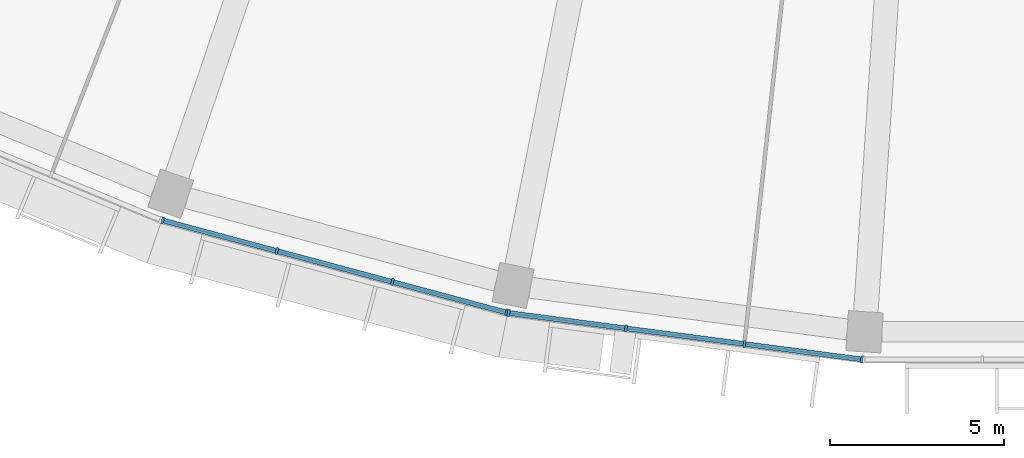
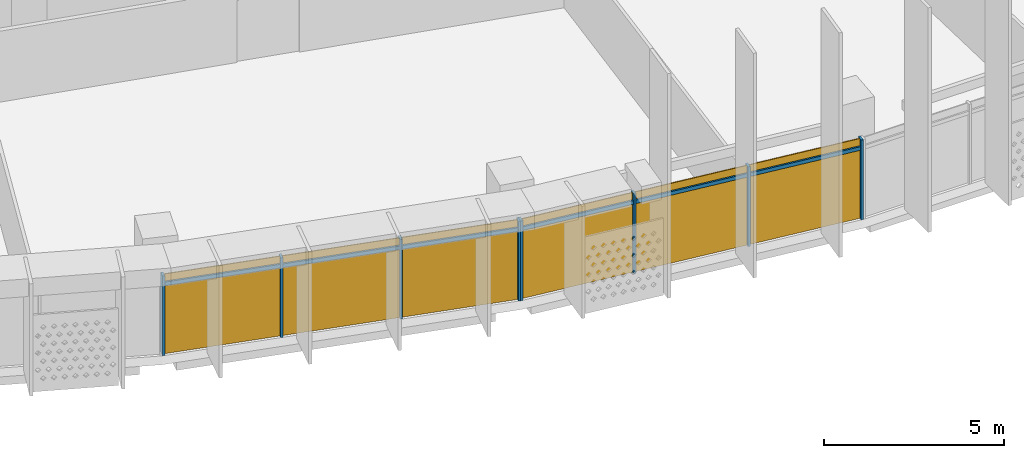
# One storey, part 18 of 28: 14 members, 2 curtain walls.
"""IFC4 building model written with IfcOpenShell, lengths in metres."""

import ifcopenshell
import ifcopenshell.guid

model = None  # the IFC model being written
_history = None  # IfcOwnerHistory: only IFC2X3 demands one
_inside = {}  # id of a spatial element -> (the spatial element, [elements in it])
_under = {}  # id of a project, library or spatial element -> (it, [spatial elements below it])
_declared = {}  # id of a project -> (the project, [libraries it declares])
_typed = {}  # id of a type object -> (the type object, [elements of that type])
_made_of = {}  # id of a material, layer set ... -> (it, [elements and type objects made of it])


def new_model(schema):
    """Start an empty IFC model of exactly this schema.

    Asked for "IFC4X3", IfcOpenShell would pick the latest addendum, in which some entities
    have other attributes; the version numbers below select the first issue.
    IFC2X3 requires an IfcOwnerHistory on every rooted entity: one is made here for all.
    """
    global model, _history
    if schema == "IFC4X3":
        model = ifcopenshell.file(schema_version=(4, 3, 0, 0))
    else:
        model = ifcopenshell.file(schema=schema)
    _inside.clear()
    _under.clear()
    _declared.clear()
    _typed.clear()
    _made_of.clear()
    _history = None
    if model.schema == "IFC2X3":
        org = make("IfcOrganization", Name="unknown")
        user = make(
            "IfcPersonAndOrganization",
            ThePerson=make("IfcPerson", FamilyName="unknown"),
            TheOrganization=org,
        )
        app = make(
            "IfcApplication",
            ApplicationDeveloper=org,
            Version="unknown",
            ApplicationFullName="unknown",
            ApplicationIdentifier="unknown",
        )
        _history = make(
            "IfcOwnerHistory",
            OwningUser=user,
            OwningApplication=app,
            ChangeAction="ADDED",
            CreationDate=0,
        )
    return model


def make(cls, **values):
    """One entity of the class cls with the attributes given. An attribute that is None is left unset."""
    return model.create_entity(
        cls, **{name: value for name, value in values.items() if value is not None}
    )


def rooted(cls, **values):
    """An entity with a GlobalId (a new one), such as an element, a storey or a relation."""
    return make(cls, GlobalId=ifcopenshell.guid.new(), OwnerHistory=_history, **values)


def si_unit(unit_type, name, prefix=None):
    """IfcSIUnit, for example si_unit("LENGTHUNIT", "METRE", prefix="MILLI")."""
    return make("IfcSIUnit", UnitType=unit_type, Prefix=prefix, Name=name)


def assignment(units):
    """IfcUnitAssignment: the units of a project."""
    return None if units is None else make("IfcUnitAssignment", Units=units)


def point(xyz):
    """IfcCartesianPoint."""
    return None if xyz is None else make("IfcCartesianPoint", Coordinates=xyz)


def direction(xyz):
    """IfcDirection."""
    return None if xyz is None else make("IfcDirection", DirectionRatios=xyz)


def frame(location, z_axis=None, x_axis=None):
    """IfcAxis2Placement3D, a coordinate frame: its origin and axes. An axis left out is left unset."""
    return make(
        "IfcAxis2Placement3D",
        Location=point(location),
        Axis=direction(z_axis),
        RefDirection=direction(x_axis),
    )


def frame_2d(location, x_axis=None):
    """IfcAxis2Placement2D, a coordinate frame in the plane: its origin and x axis."""
    return make(
        "IfcAxis2Placement2D", Location=point(location), RefDirection=direction(x_axis)
    )


def origin():
    """The frame at (0, 0, 0) with its axes left unset."""
    return frame((0.0, 0.0, 0.0))


def origin_2d():
    """The frame at (0, 0) in the plane with its x axis left unset."""
    return frame_2d((0.0, 0.0))


def place(relative_to, where):
    """IfcLocalPlacement: puts the frame where relative to a parent placement (None: the world)."""
    return make(
        "IfcLocalPlacement", PlacementRelTo=relative_to, RelativePlacement=where
    )


def context(
    kind, dimensions, precision=None, world=None, true_north=None, identifier=None
):
    """IfcGeometricRepresentationContext, for example the 3D "Model" context."""
    return make(
        "IfcGeometricRepresentationContext",
        ContextIdentifier=identifier,
        ContextType=kind,
        CoordinateSpaceDimension=dimensions,
        Precision=precision,
        WorldCoordinateSystem=world,
        TrueNorth=true_north,
    )


def subcontext(parent, identifier, kind, view, scale=None):
    """IfcGeometricRepresentationSubContext, for example "Body" below "Model"."""
    return make(
        "IfcGeometricRepresentationSubContext",
        ContextIdentifier=identifier,
        ContextType=kind,
        ParentContext=parent,
        TargetScale=scale,
        TargetView=view,
    )


def project(units=None, contexts=None):
    """IfcProject with its units and contexts."""
    return rooted(
        "IfcProject",
        Name="project",
        RepresentationContexts=contexts,
        UnitsInContext=assignment(units),
    )


def spatial(cls, under=None, at=None, **own):
    """A site, building, storey or space (cls), placed at a placement, below another one or the project."""
    s = rooted(cls, ObjectPlacement=at, **own)
    if under is not None:
        _under.setdefault(under.id(), (under, []))[1].append(s)
    return s


def profile(cls, at=None, kind="AREA", **sizes):
    """A parametric profile (cls). Its sizes go by their IFC names, for example OverallWidth=200.0."""
    return make(cls, ProfileType=kind, Position=at, **sizes)


def rectangle(**sizes):
    """IfcRectangleProfileDef."""
    return profile("IfcRectangleProfileDef", **sizes)


def extrude(swept, where, along, depth):
    """IfcExtrudedAreaSolid: the profile swept, set in the frame where, extruded along a direction by depth."""
    return make(
        "IfcExtrudedAreaSolid",
        SweptArea=swept,
        Position=where,
        ExtrudedDirection=direction(along),
        Depth=depth,
    )


def shape(context_of_items, identifier, shape_type, items):
    """IfcShapeRepresentation: the items that make up one representation, for example the "Body"."""
    return make(
        "IfcShapeRepresentation",
        ContextOfItems=context_of_items,
        RepresentationIdentifier=identifier,
        RepresentationType=shape_type,
        Items=items,
    )


def material(Name=None, Category=None):
    """IfcMaterial."""
    return make("IfcMaterial", Name=Name, Category=Category)


def material_profile(
    of_material, cross_section, Name=None, Category=None, Priority=None
):
    """IfcMaterialProfile: a cross section and its material."""
    return make(
        "IfcMaterialProfile",
        Name=Name,
        Material=of_material,
        Profile=cross_section,
        Priority=Priority,
        Category=Category,
    )


def profile_set(profiles, Name=None, composite=None):
    """IfcMaterialProfileSet."""
    return make(
        "IfcMaterialProfileSet",
        Name=Name,
        MaterialProfiles=profiles,
        CompositeProfile=composite,
    )


def made_of(thing, what):
    """Note that an element or type object is made of a material, layer set ...; save() writes the relation."""
    if what is not None:
        _made_of.setdefault(what.id(), (what, []))[1].append(thing)
    return thing


def type_object(cls, material=None, **own):
    """A type object (cls), such as IfcWallType, which elements share."""
    return made_of(rooted(cls, **own), material)


def element(
    cls,
    number,
    at=None,
    inside=None,
    cuts=None,
    type_object=None,
    material=None,
    context=None,
    identifier="Body",
    shape_type=None,
    held_by="IfcProductDefinitionShape",
    body=None,
    shapes=None,
    **own,
):
    """One element of the class cls, such as IfcWall. Its Tag is "e" and its number.

    at: its placement. inside: the storey or other place that contains it. cuts: it is an
    opening in that element (IfcRelVoidsElement). A single representation is given by context,
    identifier, shape_type and body (its items); several are given by shapes. held_by: the class
    of the entity that holds the representations. save() writes the other relations.
    """
    e = rooted(cls, Tag="e%d" % number, ObjectPlacement=at, **own)
    if body is not None:
        shapes = [shape(context, identifier, shape_type, body)]
    if shapes is not None:
        e.Representation = make(held_by, Representations=shapes)
    if inside is not None:
        _inside.setdefault(inside.id(), (inside, []))[1].append(e)
    if cuts is not None:
        rooted(
            "IfcRelVoidsElement", RelatingBuildingElement=cuts, RelatedOpeningElement=e
        )
    if type_object is not None:
        _typed.setdefault(type_object.id(), (type_object, []))[1].append(e)
    return made_of(e, material)


def aggregate(whole, parts):
    """IfcRelAggregates: a whole, such as a stair, and the parts it consists of."""
    return rooted("IfcRelAggregates", RelatingObject=whole, RelatedObjects=parts)


def save(model, path):
    """Write the relations noted so far, then the file.

    IfcRelAggregates (storeys below a building ...), IfcRelContainedInSpatialStructure (elements
    in a storey), IfcRelDefinesByType, IfcRelAssociatesMaterial and IfcRelDeclares: one each for
    every whole, place, type object, material and project.
    """
    for whole, parts in _under.values():
        aggregate(whole, parts)
    for where, things in _inside.values():
        rooted(
            "IfcRelContainedInSpatialStructure",
            RelatedElements=things,
            RelatingStructure=where,
        )
    for kind, things in _typed.values():
        rooted("IfcRelDefinesByType", RelatedObjects=things, RelatingType=kind)
    for what, things in _made_of.values():
        rooted("IfcRelAssociatesMaterial", RelatedObjects=things, RelatingMaterial=what)
    for by, libraries in _declared.values():
        rooted("IfcRelDeclares", RelatingContext=by, RelatedDefinitions=libraries)
    model.write(path)


model = new_model("IFC4")

# Units and contexts
model_context = context("Model", 3, precision=1e-05, world=origin(), true_north=direction((0.0, 1.0)))
body_context = subcontext(model_context, "Body", "Model", "MODEL_VIEW")
ifc_project = project(units=[si_unit("LENGTHUNIT", "METRE"), si_unit("AREAUNIT", "SQUARE_METRE"), si_unit("VOLUMEUNIT", "CUBIC_METRE"), si_unit("PLANEANGLEUNIT", "RADIAN"), si_unit("MASSUNIT", "GRAM", prefix="KILO")], contexts=[model_context])

# Member
ifc_material = material(Name="Aluminium 6063-T6 anodised", Category="aluminium")
ifc_material_profile_1 = material_profile(ifc_material, rectangle(XDim=0.199951171875, YDim=0.070068359375, at=origin_2d()))
ifc_profile_set_1 = profile_set([ifc_material_profile_1], Name="Aluminium 6063-T6 anodised")
member_type_1 = type_object("IfcMemberType", Name="Mullion 70 x 200 aluminium", PredefinedType="MULLION", material=ifc_profile_set_1)
site_placement = place(None, origin())
building_placement = place(site_placement, origin())
storey_placement = place(building_placement, frame((0.0, 0.0, 226.5)))
member_1_placement = place(storey_placement, frame((-25.221435546875, -74.388427734375, 0.0), z_axis=(0.0, 0.0, 1.0), x_axis=(0.258819045103, 0.965925826289, 0.0)))
member_1 = element("IfcMember", 1, at=member_1_placement, type_object=member_type_1, Name="e-cw1-L54-out06/M00", PredefinedType="MULLION", context=body_context, shape_type="SweptSolid", body=[
    extrude(rectangle(XDim=0.199951171875, YDim=0.070068359375, at=origin_2d()), origin(), (0.0, 0.0, 1.0), 2.699951171875),
])

member_2_placement = place(storey_placement, frame((-21.94287109375, -75.26708984375, 0.0), z_axis=(0.0, 0.0, 1.0), x_axis=(0.258819045103, 0.965925826289, 0.0)))
member_2 = element("IfcMember", 2, at=member_2_placement, type_object=member_type_1, Name="e-cw1-L54-out06/M01", PredefinedType="MULLION", context=body_context, shape_type="SweptSolid", body=[
    extrude(rectangle(XDim=0.199951171875, YDim=0.070068359375, at=origin_2d()), origin(), (0.0, 0.0, 1.0), 2.699951171875),
])

member_3_placement = place(storey_placement, frame((-18.63037109375, -76.154541015625, 0.0), z_axis=(0.0, 0.0, 1.0), x_axis=(0.258819045103, 0.965925826289, 0.0)))
member_3 = element("IfcMember", 3, at=member_3_placement, type_object=member_type_1, Name="e-cw1-L54-out06/M02", PredefinedType="MULLION", context=body_context, shape_type="SweptSolid", body=[
    extrude(rectangle(XDim=0.199951171875, YDim=0.070068359375, at=origin_2d()), origin(), (0.0, 0.0, 1.0), 2.699951171875),
])

member_4_placement = place(storey_placement, frame((-15.351806640625, -77.033203125, 0.0), z_axis=(0.0, 0.0, 1.0), x_axis=(0.258819045103, 0.965925826289, 0.0)))
member_4 = element("IfcMember", 4, at=member_4_placement, type_object=member_type_1, Name="e-cw1-L54-out06/M03", PredefinedType="MULLION", context=body_context, shape_type="SweptSolid", body=[
    extrude(rectangle(XDim=0.199951171875, YDim=0.070068359375, at=origin_2d()), origin(), (0.0, 0.0, 1.0), 2.699951171875),
])

member_5_placement = place(storey_placement, frame((-15.296142578125, -77.044189453125, 0.0), z_axis=(0.0, 0.0, 1.0), x_axis=(0.13052619222, 0.991444861374, 0.0)))
member_5 = element("IfcMember", 5, at=member_5_placement, type_object=member_type_1, Name="e-cw1-L54-out07/M00", PredefinedType="MULLION", context=body_context, shape_type="SweptSolid", body=[
    extrude(rectangle(XDim=0.199951171875, YDim=0.070068359375, at=origin_2d()), origin(), (0.0, 0.0, 1.0), 2.699951171875),
])

member_6_placement = place(storey_placement, frame((-11.930908203125, -77.4873046875, 0.0), z_axis=(0.0, 0.0, 1.0), x_axis=(0.13052619222, 0.991444861374, 0.0)))
member_6 = element("IfcMember", 6, at=member_6_placement, type_object=member_type_1, Name="e-cw1-L54-out07/M01", PredefinedType="MULLION", context=body_context, shape_type="SweptSolid", body=[
    extrude(rectangle(XDim=0.199951171875, YDim=0.070068359375, at=origin_2d()), origin(), (0.0, 0.0, 1.0), 2.699951171875),
])

member_7_placement = place(storey_placement, frame((-8.53076171875, -77.934814453125, 0.0), z_axis=(0.0, 0.0, 1.0), x_axis=(0.13052619222, 0.991444861374, 0.0)))
member_7 = element("IfcMember", 7, at=member_7_placement, type_object=member_type_1, Name="e-cw1-L54-out07/M02", PredefinedType="MULLION", context=body_context, shape_type="SweptSolid", body=[
    extrude(rectangle(XDim=0.199951171875, YDim=0.070068359375, at=origin_2d()), origin(), (0.0, 0.0, 1.0), 2.699951171875),
])

member_8_placement = place(storey_placement, frame((-5.16552734375, -78.3779296875, 0.0), z_axis=(0.0, 0.0, 1.0), x_axis=(0.13052619222, 0.991444861374, 0.0)))
member_8 = element("IfcMember", 8, at=member_8_placement, type_object=member_type_1, Name="e-cw1-L54-out07/M03", PredefinedType="MULLION", context=body_context, shape_type="SweptSolid", body=[
    extrude(rectangle(XDim=0.199951171875, YDim=0.070068359375, at=origin_2d()), origin(), (0.0, 0.0, 1.0), 2.699951171875),
])

ifc_material_profile_2 = material_profile(ifc_material, rectangle(XDim=0.139892578125, YDim=0.1201171875, at=origin_2d()))
ifc_profile_set_2 = profile_set([ifc_material_profile_2], Name="Aluminium 6063-T6 anodised")
member_type_2 = type_object("IfcMemberType", Name="Transom 120 x 140 aluminium", PredefinedType="USERDEFINED", material=ifc_profile_set_2)
member_9_placement = place(storey_placement, frame((-25.187744140625, -74.3974609375, 2.39990234375), z_axis=(0.965908708139, -0.25888292246, 0.0), x_axis=(0.25888292246, 0.965908708139, 0.0)))
member_9 = element("IfcMember", 9, at=member_9_placement, type_object=member_type_2, Name="e-cw1-L54-out06/T00", ObjectType="TRANSOM", PredefinedType="USERDEFINED", context=body_context, shape_type="SweptSolid", body=[
    extrude(rectangle(XDim=0.139892578125, YDim=0.1201171875, at=origin_2d()), origin(), (0.0, 0.0, 1.0), 3.32421875),
])

member_10_placement = place(storey_placement, frame((-21.9091796875, -75.276123046875, 2.39990234375), z_axis=(0.965931507774, -0.258797840582, 0.0), x_axis=(0.258797840582, 0.965931507774, 0.0)))
member_10 = element("IfcMember", 10, at=member_10_placement, type_object=member_type_2, Name="e-cw1-L54-out06/T01", ObjectType="TRANSOM", PredefinedType="USERDEFINED", context=body_context, shape_type="SweptSolid", body=[
    extrude(rectangle(XDim=0.139892578125, YDim=0.1201171875, at=origin_2d()), origin(), (0.0, 0.0, 1.0), 3.359375),
])

member_11_placement = place(storey_placement, frame((-18.5966796875, -76.16357421875, 2.39990234375), z_axis=(0.965913629723, -0.258864559019, 0.0), x_axis=(0.258864559019, 0.965913629723, 0.0)))
member_11 = element("IfcMember", 11, at=member_11_placement, type_object=member_type_2, Name="e-cw1-L54-out06/T02", ObjectType="TRANSOM", PredefinedType="USERDEFINED", context=body_context, shape_type="SweptSolid", body=[
    extrude(rectangle(XDim=0.139892578125, YDim=0.1201171875, at=origin_2d()), origin(), (0.0, 0.0, 1.0), 3.324462890625),
])

member_12_placement = place(storey_placement, frame((-15.261474609375, -77.048828125, 2.39990234375), z_axis=(0.991447795146, -0.130503906072, 0.0), x_axis=(0.130503906072, 0.991447795146, 0.0)))
member_12 = element("IfcMember", 12, at=member_12_placement, type_object=member_type_2, Name="e-cw1-L54-out07/T00", ObjectType="TRANSOM", PredefinedType="USERDEFINED", context=body_context, shape_type="SweptSolid", body=[
    extrude(rectangle(XDim=0.139892578125, YDim=0.1201171875, at=origin_2d()), origin(), (0.0, 0.0, 1.0), 3.32421875),
])

member_13_placement = place(storey_placement, frame((-11.896240234375, -77.49169921875, 2.39990234375), z_axis=(0.991444893088, -0.130525951326, 0.0), x_axis=(0.130525951326, 0.991444893088, 0.0)))
member_13 = element("IfcMember", 13, at=member_13_placement, type_object=member_type_2, Name="e-cw1-L54-out07/T01", ObjectType="TRANSOM", PredefinedType="USERDEFINED", context=body_context, shape_type="SweptSolid", body=[
    extrude(rectangle(XDim=0.139892578125, YDim=0.1201171875, at=origin_2d()), origin(), (0.0, 0.0, 1.0), 3.359375),
])

member_14_placement = place(storey_placement, frame((-8.49609375, -77.939453125, 2.39990234375), z_axis=(0.991447795146, -0.130503906072, 0.0), x_axis=(0.130503906072, 0.991447795146, 0.0)))
member_14 = element("IfcMember", 14, at=member_14_placement, type_object=member_type_2, Name="e-cw1-L54-out07/T02", ObjectType="TRANSOM", PredefinedType="USERDEFINED", context=body_context, shape_type="SweptSolid", body=[
    extrude(rectangle(XDim=0.139892578125, YDim=0.1201171875, at=origin_2d()), origin(), (0.0, 0.0, 1.0), 3.32421875),
])

# Site, building, storey
site = spatial("IfcSite", under=ifc_project, at=site_placement, CompositionType="ELEMENT")
building = spatial("IfcBuilding", under=site, at=building_placement, Name="Qamariyya Broadcast Tower", CompositionType="ELEMENT")
storey = spatial("IfcBuildingStorey", under=building, at=storey_placement, Name="L54", CompositionType="ELEMENT", Elevation=226.5)

# Curtain wall
curtain_wall_type = type_object("IfcCurtainWallType", Name="Unitised curtain wall, anodised aluminium", PredefinedType="NOTDEFINED", material=ifc_material)
curtain_wall_1_placement = place(storey_placement, origin())
curtain_wall_1 = element("IfcCurtainWall", 15, at=curtain_wall_1_placement, inside=storey, type_object=curtain_wall_type, Name="e-cw1-L54-out06", PredefinedType="NOTDEFINED", context=body_context, shape_type="SweptSolid", body=[
    extrude(rectangle(XDim=3.324462890625, YDim=0.031982421875, at=origin_2d()), frame((-23.582275390625, -74.82763671875, 0.0), x_axis=(0.965923476514, -0.258827814424, 0.0)), (0.0, 0.0, 1.0), 2.340087890625),
    extrude(rectangle(XDim=3.324462890625, YDim=0.031982421875, at=origin_2d()), frame((-23.582275390625, -74.82763671875, 2.4599609375), x_axis=(0.965923476514, -0.258827814424, 0.0)), (0.0, 0.0, 1.0), 0.239990234375),
    extrude(rectangle(XDim=3.359375, YDim=0.031982421875, at=origin_2d()), frame((-20.28662109375, -75.7109375, 0.0), x_axis=(0.965923476514, -0.258827814424, 0.0)), (0.0, 0.0, 1.0), 2.340087890625),
    extrude(rectangle(XDim=3.359375, YDim=0.031982421875, at=origin_2d()), frame((-20.28662109375, -75.7109375, 2.4599609375), x_axis=(0.965923476514, -0.258827814424, 0.0)), (0.0, 0.0, 1.0), 0.239990234375),
    extrude(rectangle(XDim=3.324462890625, YDim=0.031982421875, at=origin_2d()), frame((-16.990966796875, -76.593994140625, 0.0), x_axis=(0.965923476514, -0.258827814424, 0.0)), (0.0, 0.0, 1.0), 2.340087890625),
    extrude(rectangle(XDim=3.324462890625, YDim=0.031982421875, at=origin_2d()), frame((-16.990966796875, -76.593994140625, 2.4599609375), x_axis=(0.965923476514, -0.258827814424, 0.0)), (0.0, 0.0, 1.0), 0.239990234375),
])

aggregate(curtain_wall_1, [member_1, member_2, member_3, member_4, member_9, member_10, member_11])

curtain_wall_2_placement = place(storey_placement, origin())
curtain_wall_2 = element("IfcCurtainWall", 16, at=curtain_wall_2_placement, inside=storey, type_object=curtain_wall_type, Name="e-cw1-L54-out07", PredefinedType="NOTDEFINED", context=body_context, shape_type="SweptSolid", body=[
    extrude(rectangle(XDim=3.32421875, YDim=0.031982421875, at=origin_2d()), frame((-13.613525390625, -77.265625, 0.0), x_axis=(0.991442741341, -0.130542294457, 0.0)), (0.0, 0.0, 1.0), 2.340087890625),
    extrude(rectangle(XDim=3.32421875, YDim=0.031982421875, at=origin_2d()), frame((-13.613525390625, -77.265625, 2.4599609375), x_axis=(0.991442741341, -0.130542294457, 0.0)), (0.0, 0.0, 1.0), 0.239990234375),
    extrude(rectangle(XDim=3.359375, YDim=0.031982421875, at=origin_2d()), frame((-10.23095703125, -77.7109375, 0.0), x_axis=(0.991442741341, -0.130542294457, 0.0)), (0.0, 0.0, 1.0), 2.340087890625),
    extrude(rectangle(XDim=3.359375, YDim=0.031982421875, at=origin_2d()), frame((-10.23095703125, -77.7109375, 2.4599609375), x_axis=(0.991442741341, -0.130542294457, 0.0)), (0.0, 0.0, 1.0), 0.239990234375),
    extrude(rectangle(XDim=3.32421875, YDim=0.031982421875, at=origin_2d()), frame((-6.84814453125, -78.156494140625, 0.0), x_axis=(0.991442741341, -0.130542294457, 0.0)), (0.0, 0.0, 1.0), 2.340087890625),
    extrude(rectangle(XDim=3.32421875, YDim=0.031982421875, at=origin_2d()), frame((-6.84814453125, -78.156494140625, 2.4599609375), x_axis=(0.991442741341, -0.130542294457, 0.0)), (0.0, 0.0, 1.0), 0.239990234375),
])

aggregate(curtain_wall_2, [member_5, member_6, member_7, member_8, member_12, member_13, member_14])

save(model, "model.ifc")
